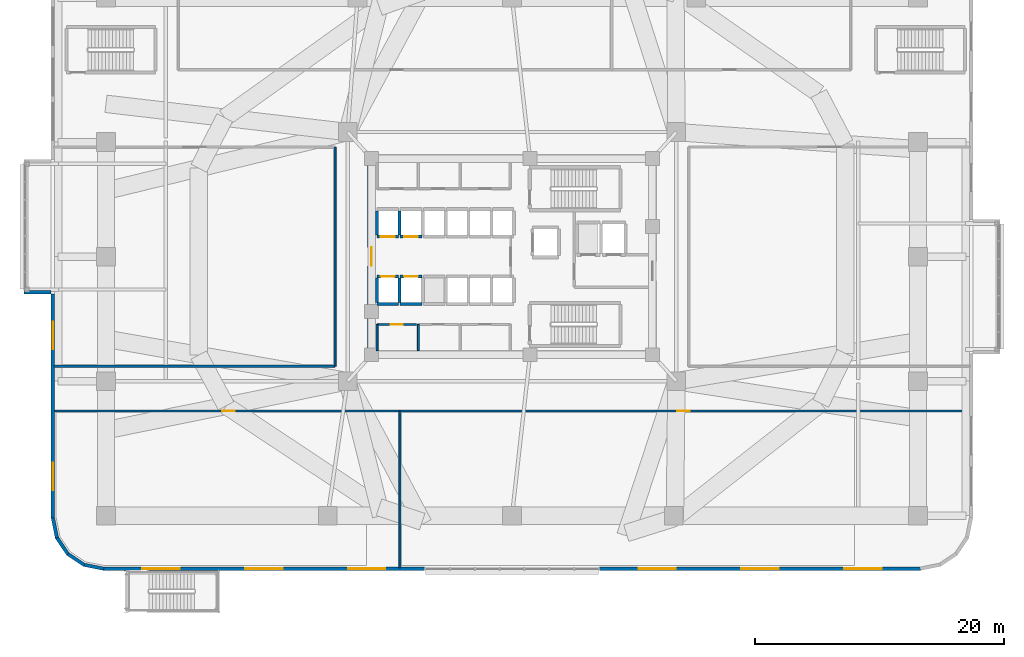
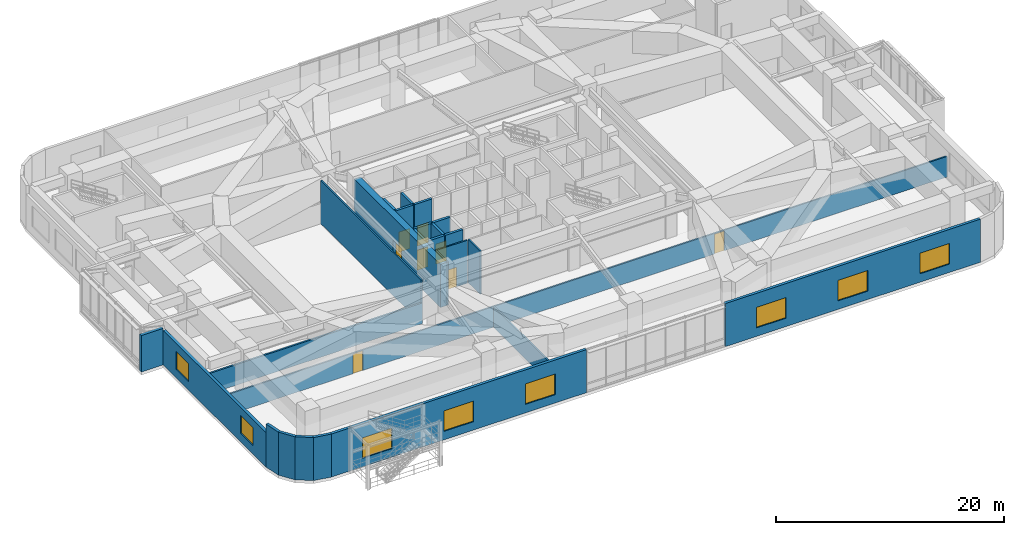
# One storey, part 17 of 26: 26 walls, 8 doors, 8 windows, 16 openings.
"""IFC4 building model written with IfcOpenShell, lengths in metres."""

from ifc_helpers import new_model, si_unit, direction, frame, frame_2d, origin, place, context, subcontext, project, spatial, rectangle, extrude, material, layer, layer_set, type_object, element, fill, save


model = new_model("IFC4")

# Units and contexts
model_context = context("Model", 3, precision=1e-05, world=origin(), true_north=direction((0.0, 1.0)))
body_context = subcontext(model_context, "Body", "Model", "MODEL_VIEW")
ifc_project = project(units=[si_unit("LENGTHUNIT", "METRE"), si_unit("AREAUNIT", "SQUARE_METRE"), si_unit("VOLUMEUNIT", "CUBIC_METRE"), si_unit("PLANEANGLEUNIT", "RADIAN"), si_unit("MASSUNIT", "GRAM", prefix="KILO")], contexts=[model_context])

# Site, building, storey
site_placement = place(None, origin())
site = spatial("IfcSite", under=ifc_project, at=site_placement, CompositionType="ELEMENT")
building_placement = place(site_placement, origin())
building = spatial("IfcBuilding", under=site, at=building_placement, Name="Zulverin Broadcast Headquarters", CompositionType="ELEMENT")
storey_placement = place(building_placement, frame((0.0, 0.0, 20.0)))
storey = spatial("IfcBuildingStorey", under=building, at=storey_placement, Name="L04", CompositionType="ELEMENT", Elevation=20.0)

# Wall, opening, door
ifc_material_1 = material(Name="Concrete C60/75", Category="concrete")
ifc_layer_1 = layer(ifc_material_1, 0.64990234375, Name="Concrete C60/75", Category="concrete")
ifc_layer_set_1 = layer_set([ifc_layer_1], Name="Concrete C60/75")
wall_type_1 = type_object("IfcWallType", Name="WL-CORE-650", PredefinedType="SHEAR", material=ifc_layer_set_1)
wall_1_placement = place(storey_placement, frame((25.72509765625, 17.64990234375, 0.0), z_axis=(0.0, 0.0, 1.0), x_axis=(0.0, 1.0, 0.0)))
wall_1 = element("IfcWall", 1, at=wall_1_placement, inside=storey, type_object=wall_type_1, Name="L04 Core West Shear Wall", PredefinedType="SHEAR", context=body_context, shape_type="SweptSolid", body=[
    extrude(rectangle(XDim=15.10009765625, YDim=0.64990234375, at=frame_2d((7.550048828125, 0.0))), origin(), (0.0, 0.0, 1.0), 4.60009765625),
])
opening_1_placement = place(wall_1_placement, frame((6.800048828125, 0.0, 0.0)))
opening_1 = element("IfcOpeningElement", 2, at=opening_1_placement, cuts=wall_1, Name="Opening D-L04-CW1", PredefinedType="OPENING", context=body_context, shape_type="SweptSolid", body=[
    extrude(rectangle(XDim=1.5, YDim=2.14990234375, at=frame_2d((0.75, 1.074951171875))), frame((0.0, 0.3349609375, 0.0), z_axis=(0.0, -1.0, 0.0), x_axis=(1.0, 0.0, 0.0)), (0.0, 0.0, 1.0), 0.669921875),
])
ifc_material_2 = material(Name="Fire-rated glazed steel frame", Category="steel")
door_type_1 = type_object("IfcDoorType", Name="DR-COR-1500", OperationType="DOUBLE_DOOR_SINGLE_SWING", PredefinedType="DOOR", material=ifc_material_2)
door_1_placement = place(opening_1_placement, origin())
door_1 = element("IfcDoor", 3, at=door_1_placement, inside=storey, type_object=door_type_1, Name="L04 Central Lift Lobby West Portal Door", OperationType="DOUBLE_DOOR_SINGLE_SWING", OverallHeight=2.14990234375, OverallWidth=1.5, PredefinedType="DOOR", context=body_context, shape_type="SweptSolid", body=[
    extrude(rectangle(XDim=1.5, YDim=2.14990234375, at=frame_2d((0.75, 1.074951171875))), frame((0.0, 0.02490234375, 0.0), z_axis=(0.0, -1.0, 0.0), x_axis=(1.0, 0.0, 0.0)), (0.0, 0.0, 1.0), 0.050048828125),
])
fill(opening_1, door_1)

# Wall, openings, windows
ifc_material_3 = material(Name="Insulated pale-metal clad concrete spandrel C40/50", Category="concrete")
ifc_layer_2 = layer(ifc_material_3, 0.280029296875, Name="Insulated pale-metal clad concrete spandrel C40/50", Category="concrete")
ifc_layer_set_2 = layer_set([ifc_layer_2], Name="Insulated pale-metal clad concrete spandrel C40/50")
wall_type_2 = type_object("IfcWallType", Name="WL-EXT-280", PredefinedType="STANDARD", material=ifc_layer_set_2)
wall_2_placement = place(storey_placement, frame((0.139892578125, 22.199951171875, 0.0), z_axis=(0.0, 0.0, 1.0), x_axis=(0.0, -1.0, 0.0)))
wall_2 = element("IfcWall", 4, at=wall_2_placement, inside=storey, type_object=wall_type_2, Name="L04 Podium Spandrel Wall 3-2", PredefinedType="STANDARD", context=body_context, shape_type="SweptSolid", body=[
    extrude(rectangle(XDim=18.0, YDim=0.280029296875, at=frame_2d((9.0, 0.0))), origin(), (0.0, 0.0, 1.0), 3.699951171875),
])
opening_2_placement = place(wall_2_placement, frame((2.2333984375, 0.0, 0.89990234375)))
opening_2 = element("IfcOpeningElement", 5, at=opening_2_placement, cuts=wall_2, Name="Opening W-L04-E3S21", PredefinedType="OPENING", context=body_context, shape_type="SweptSolid", body=[
    extrude(rectangle(XDim=2.199951171875, YDim=1.949951171875, at=frame_2d((1.10009765625, 0.97509765625))), frame((0.0, 0.14990234375, 0.0), z_axis=(0.0, -1.0, 0.0), x_axis=(1.0, 0.0, 0.0)), (0.0, 0.0, 1.0), 0.300048828125),
])
opening_3_placement = place(wall_2_placement, frame((13.566650390625, 0.0, 0.89990234375)))
opening_3 = element("IfcOpeningElement", 6, at=opening_3_placement, cuts=wall_2, Name="Opening W-L04-E3S22", PredefinedType="OPENING", context=body_context, shape_type="SweptSolid", body=[
    extrude(rectangle(XDim=2.199951171875, YDim=1.949951171875, at=frame_2d((1.10009765625, 0.97509765625))), frame((0.0, 0.14990234375, 0.0), z_axis=(0.0, -1.0, 0.0), x_axis=(1.0, 0.0, 0.0)), (0.0, 0.0, 1.0), 0.300048828125),
])
ifc_material_4 = material(Name="Pale anodized aluminium frame with solar-control low-E double glazing", Category="aluminium")
window_type_1 = type_object("IfcWindowType", Name="WIN-POD-2200", PartitioningType="SINGLE_PANEL", PredefinedType="WINDOW", material=ifc_material_4)
window_1_placement = place(opening_2_placement, origin())
window_1 = element("IfcWindow", 7, at=window_1_placement, inside=storey, type_object=window_type_1, Name="L04 Podium Ribbon Window 3-2 1", OverallHeight=1.949951171875, OverallWidth=2.199951171875, PartitioningType="SINGLE_PANEL", PredefinedType="WINDOW", context=body_context, shape_type="SweptSolid", body=[
    extrude(rectangle(XDim=2.199951171875, YDim=1.949951171875, at=frame_2d((1.10009765625, 0.97509765625))), frame((0.0, 0.030029296875, 0.0), z_axis=(0.0, -1.0, 0.0), x_axis=(1.0, 0.0, 0.0)), (0.0, 0.0, 1.0), 0.06005859375),
])
fill(opening_2, window_1)
window_2_placement = place(opening_3_placement, origin())
window_2 = element("IfcWindow", 8, at=window_2_placement, inside=storey, type_object=window_type_1, Name="L04 Podium Ribbon Window 3-2 2", OverallHeight=1.949951171875, OverallWidth=2.199951171875, PartitioningType="SINGLE_PANEL", PredefinedType="WINDOW", context=body_context, shape_type="SweptSolid", body=[
    extrude(rectangle(XDim=2.199951171875, YDim=1.949951171875, at=frame_2d((1.10009765625, 0.97509765625))), frame((0.0, 0.030029296875, 0.0), z_axis=(0.0, -1.0, 0.0), x_axis=(1.0, 0.0, 0.0)), (0.0, 0.0, 1.0), 0.06005859375),
])
fill(opening_3, window_2)

wall_3_placement = place(storey_placement, frame((4.199951171875, 0.139892578125, 0.0), z_axis=(0.0, 0.0, 1.0), x_axis=(1.0, 0.0, 0.0)))
wall_3 = element("IfcWall", 9, at=wall_3_placement, inside=storey, type_object=wall_type_2, Name="L04 Podium Flank Wall 4-1", PredefinedType="STANDARD", context=body_context, shape_type="SweptSolid", body=[
    extrude(rectangle(XDim=25.761962890625, YDim=0.280029296875, at=frame_2d((12.880859375, 0.0))), origin(), (0.0, 0.0, 1.0), 4.60009765625),
])
opening_4_placement = place(wall_3_placement, frame((3.126953125, 0.0, 0.89990234375)))
opening_4 = element("IfcOpeningElement", 10, at=opening_4_placement, cuts=wall_3, Name="Opening W-L04-F411", PredefinedType="OPENING", context=body_context, shape_type="SweptSolid", body=[
    extrude(rectangle(XDim=3.0, YDim=2.199951171875, at=frame_2d((1.5, 1.10009765625))), frame((0.0, 0.14990234375, 0.0), z_axis=(0.0, -1.0, 0.0), x_axis=(1.0, 0.0, 0.0)), (0.0, 0.0, 1.0), 0.300048828125),
])
opening_5_placement = place(wall_3_placement, frame((11.381103515625, 0.0, 0.89990234375)))
opening_5 = element("IfcOpeningElement", 11, at=opening_5_placement, cuts=wall_3, Name="Opening W-L04-F412", PredefinedType="OPENING", context=body_context, shape_type="SweptSolid", body=[
    extrude(rectangle(XDim=3.0, YDim=2.199951171875, at=frame_2d((1.5, 1.10009765625))), frame((0.0, 0.14990234375, 0.0), z_axis=(0.0, -1.0, 0.0), x_axis=(1.0, 0.0, 0.0)), (0.0, 0.0, 1.0), 0.300048828125),
])
opening_6_placement = place(wall_3_placement, frame((19.635009765625, 0.0, 0.89990234375)))
opening_6 = element("IfcOpeningElement", 12, at=opening_6_placement, cuts=wall_3, Name="Opening W-L04-F413", PredefinedType="OPENING", context=body_context, shape_type="SweptSolid", body=[
    extrude(rectangle(XDim=3.0, YDim=2.199951171875, at=frame_2d((1.5, 1.10009765625))), frame((0.0, 0.14990234375, 0.0), z_axis=(0.0, -1.0, 0.0), x_axis=(1.0, 0.0, 0.0)), (0.0, 0.0, 1.0), 0.300048828125),
])
window_type_2 = type_object("IfcWindowType", Name="WIN-POD-3000", PartitioningType="SINGLE_PANEL", PredefinedType="WINDOW", material=ifc_material_4)
window_3_placement = place(opening_4_placement, origin())
window_3 = element("IfcWindow", 13, at=window_3_placement, inside=storey, type_object=window_type_2, Name="L04 Podium Flank Window 4-1 1", OverallHeight=2.199951171875, OverallWidth=3.0, PartitioningType="SINGLE_PANEL", PredefinedType="WINDOW", context=body_context, shape_type="SweptSolid", body=[
    extrude(rectangle(XDim=3.0, YDim=2.199951171875, at=frame_2d((1.5, 1.10009765625))), frame((0.0, 0.030029296875, 0.0), z_axis=(0.0, -1.0, 0.0), x_axis=(1.0, 0.0, 0.0)), (0.0, 0.0, 1.0), 0.06005859375),
])
fill(opening_4, window_3)
window_4_placement = place(opening_5_placement, origin())
window_4 = element("IfcWindow", 14, at=window_4_placement, inside=storey, type_object=window_type_2, Name="L04 Podium Flank Window 4-1 2", OverallHeight=2.199951171875, OverallWidth=3.0, PartitioningType="SINGLE_PANEL", PredefinedType="WINDOW", context=body_context, shape_type="SweptSolid", body=[
    extrude(rectangle(XDim=3.0, YDim=2.199951171875, at=frame_2d((1.5, 1.10009765625))), frame((0.0, 0.030029296875, 0.0), z_axis=(0.0, -1.0, 0.0), x_axis=(1.0, 0.0, 0.0)), (0.0, 0.0, 1.0), 0.06005859375),
])
fill(opening_5, window_4)
window_5_placement = place(opening_6_placement, origin())
window_5 = element("IfcWindow", 15, at=window_5_placement, inside=storey, type_object=window_type_2, Name="L04 Podium Flank Window 4-1 3", OverallHeight=2.199951171875, OverallWidth=3.0, PartitioningType="SINGLE_PANEL", PredefinedType="WINDOW", context=body_context, shape_type="SweptSolid", body=[
    extrude(rectangle(XDim=3.0, YDim=2.199951171875, at=frame_2d((1.5, 1.10009765625))), frame((0.0, 0.030029296875, 0.0), z_axis=(0.0, -1.0, 0.0), x_axis=(1.0, 0.0, 0.0)), (0.0, 0.0, 1.0), 0.06005859375),
])
fill(opening_6, window_5)

wall_4_placement = place(storey_placement, frame((44.0380859375, 0.139892578125, 0.0), z_axis=(0.0, 0.0, 1.0), x_axis=(1.0, 0.0, 0.0)))
wall_4 = element("IfcWall", 16, at=wall_4_placement, inside=storey, type_object=wall_type_2, Name="L04 Podium Flank Wall 4-2", PredefinedType="STANDARD", context=body_context, shape_type="SweptSolid", body=[
    extrude(rectangle(XDim=25.761962890625, YDim=0.280029296875, at=frame_2d((12.880859375, 0.0))), origin(), (0.0, 0.0, 1.0), 4.60009765625),
])
opening_7_placement = place(wall_4_placement, frame((3.126953125, 0.0, 0.89990234375)))
opening_7 = element("IfcOpeningElement", 17, at=opening_7_placement, cuts=wall_4, Name="Opening W-L04-F421", PredefinedType="OPENING", context=body_context, shape_type="SweptSolid", body=[
    extrude(rectangle(XDim=3.0, YDim=2.199951171875, at=frame_2d((1.5, 1.10009765625))), frame((0.0, 0.14990234375, 0.0), z_axis=(0.0, -1.0, 0.0), x_axis=(1.0, 0.0, 0.0)), (0.0, 0.0, 1.0), 0.300048828125),
])
opening_8_placement = place(wall_4_placement, frame((11.381103515625, 0.0, 0.89990234375)))
opening_8 = element("IfcOpeningElement", 18, at=opening_8_placement, cuts=wall_4, Name="Opening W-L04-F422", PredefinedType="OPENING", context=body_context, shape_type="SweptSolid", body=[
    extrude(rectangle(XDim=3.0, YDim=2.199951171875, at=frame_2d((1.5, 1.10009765625))), frame((0.0, 0.14990234375, 0.0), z_axis=(0.0, -1.0, 0.0), x_axis=(1.0, 0.0, 0.0)), (0.0, 0.0, 1.0), 0.300048828125),
])
opening_9_placement = place(wall_4_placement, frame((19.635009765625, 0.0, 0.89990234375)))
opening_9 = element("IfcOpeningElement", 19, at=opening_9_placement, cuts=wall_4, Name="Opening W-L04-F423", PredefinedType="OPENING", context=body_context, shape_type="SweptSolid", body=[
    extrude(rectangle(XDim=3.0, YDim=2.199951171875, at=frame_2d((1.5, 1.10009765625))), frame((0.0, 0.14990234375, 0.0), z_axis=(0.0, -1.0, 0.0), x_axis=(1.0, 0.0, 0.0)), (0.0, 0.0, 1.0), 0.300048828125),
])
window_6_placement = place(opening_7_placement, origin())
window_6 = element("IfcWindow", 20, at=window_6_placement, inside=storey, type_object=window_type_2, Name="L04 Podium Flank Window 4-2 1", OverallHeight=2.199951171875, OverallWidth=3.0, PartitioningType="SINGLE_PANEL", PredefinedType="WINDOW", context=body_context, shape_type="SweptSolid", body=[
    extrude(rectangle(XDim=3.0, YDim=2.199951171875, at=frame_2d((1.5, 1.10009765625))), frame((0.0, 0.030029296875, 0.0), z_axis=(0.0, -1.0, 0.0), x_axis=(1.0, 0.0, 0.0)), (0.0, 0.0, 1.0), 0.06005859375),
])
fill(opening_7, window_6)
window_7_placement = place(opening_8_placement, origin())
window_7 = element("IfcWindow", 21, at=window_7_placement, inside=storey, type_object=window_type_2, Name="L04 Podium Flank Window 4-2 2", OverallHeight=2.199951171875, OverallWidth=3.0, PartitioningType="SINGLE_PANEL", PredefinedType="WINDOW", context=body_context, shape_type="SweptSolid", body=[
    extrude(rectangle(XDim=3.0, YDim=2.199951171875, at=frame_2d((1.5, 1.10009765625))), frame((0.0, 0.030029296875, 0.0), z_axis=(0.0, -1.0, 0.0), x_axis=(1.0, 0.0, 0.0)), (0.0, 0.0, 1.0), 0.06005859375),
])
fill(opening_8, window_7)
window_8_placement = place(opening_9_placement, origin())
window_8 = element("IfcWindow", 22, at=window_8_placement, inside=storey, type_object=window_type_2, Name="L04 Podium Flank Window 4-2 3", OverallHeight=2.199951171875, OverallWidth=3.0, PartitioningType="SINGLE_PANEL", PredefinedType="WINDOW", context=body_context, shape_type="SweptSolid", body=[
    extrude(rectangle(XDim=3.0, YDim=2.199951171875, at=frame_2d((1.5, 1.10009765625))), frame((0.0, 0.030029296875, 0.0), z_axis=(0.0, -1.0, 0.0), x_axis=(1.0, 0.0, 0.0)), (0.0, 0.0, 1.0), 0.06005859375),
])
fill(opening_9, window_8)

# Walls
for number, where, z_axis, x_axis, name in (
    (23, (0.13720703125, 4.227294921875, 0.0), (0.0, 0.0, 1.0), (0.19517056122, -0.980769316421, 0.0), "L04 Wind-Shaped Corner Spandrel Wall 3-1"),
    (24, (0.43603515625, 2.67041015625, 0.0), (0.0, 0.0, 1.0), (0.555731236514, -0.831362010656, 0.0), "L04 Wind-Shaped Corner Spandrel Wall 3-2"),
    (25, (1.30810546875, 1.3466796875, 0.0), (0.0, 0.0, 1.0), (0.831362010656, -0.555731236514, 0.0), "L04 Wind-Shaped Corner Spandrel Wall 3-3"),
    (26, (2.6201171875, 0.45703125, 0.0), (0.0, 0.0, 1.0), (0.980769316421, -0.19517056122, 0.0), "L04 Wind-Shaped Corner Spandrel Wall 3-4"),
):
    element("IfcWall", number, at=place(storey_placement, frame(where, z_axis=z_axis, x_axis=x_axis)), inside=storey, type_object=wall_type_2, Name=name, PredefinedType="STANDARD", context=body_context, shape_type="SweptSolid", body=[
        extrude(rectangle(XDim=1.638671875, YDim=0.280029296875, at=frame_2d((0.8193359375, 0.0))), origin(), (0.0, 0.0, 1.0), 4.60009765625),
    ])
wall_5_placement = place(storey_placement, frame((-2.199951171875, 22.340087890625, 0.0), z_axis=(0.0, 0.0, 1.0), x_axis=(1.0, 0.0, 0.0)))
element("IfcWall", 27, at=wall_5_placement, inside=storey, type_object=wall_type_2, Name="L04 Shifted Studio Box Cheek Wall SBOX_POD_UPPER_W1-S", PredefinedType="STANDARD", context=body_context, shape_type="SweptSolid", body=[
    extrude(rectangle(XDim=2.199951171875, YDim=0.280029296875, at=frame_2d((1.10009765625, 0.0))), origin(), (0.0, 0.0, 1.0), 3.906982421875),
])

# Wall, opening, door
ifc_material_5 = material(Name="Fire-rated gypsum stud partition", Category="gypsum")
ifc_layer_3 = layer(ifc_material_5, 0.14990234375, Name="Fire-rated gypsum stud partition", Category="gypsum")
ifc_layer_set_3 = layer_set([ifc_layer_3], Name="Fire-rated gypsum stud partition")
wall_type_3 = type_object("IfcWallType", Name="WL-PART-150", PredefinedType="PARTITIONING", material=ifc_layer_set_3)
wall_6_placement = place(storey_placement, frame((26.169921875, 19.75, 0.0), z_axis=(0.0, 0.0, 1.0), x_axis=(1.0, 0.0, 0.0)))
wall_6 = element("IfcWall", 28, at=wall_6_placement, inside=storey, type_object=wall_type_3, Name="L04 Core Female WC Front Wall", PredefinedType="PARTITIONING", context=body_context, shape_type="SweptSolid", body=[
    extrude(rectangle(XDim=3.150146484375, YDim=0.14990234375, at=frame_2d((1.5751953125, 0.0))), origin(), (0.0, 0.0, 1.0), 4.60009765625),
])
opening_10_placement = place(wall_6_placement, frame((1.10009765625, 0.0, 0.0)))
opening_10 = element("IfcOpeningElement", 29, at=opening_10_placement, cuts=wall_6, Name="Opening D-L04-SC1", PredefinedType="OPENING", context=body_context, shape_type="SweptSolid", body=[
    extrude(rectangle(XDim=0.949951171875, YDim=2.10009765625, at=frame_2d((0.47509765625, 1.050048828125))), frame((0.0, 0.0849609375, 0.0), z_axis=(0.0, -1.0, 0.0), x_axis=(1.0, 0.0, 0.0)), (0.0, 0.0, 1.0), 0.169921875),
])
ifc_material_6 = material(Name="Fire-rated moisture-resistant laminate leaf", Category="wood")
door_type_2 = type_object("IfcDoorType", Name="DR-WC-950", OperationType="SINGLE_SWING_LEFT", PredefinedType="DOOR", material=ifc_material_6)
door_2_placement = place(opening_10_placement, origin())
door_2 = element("IfcDoor", 30, at=door_2_placement, inside=storey, type_object=door_type_2, Name="L04 Female WC Door", OperationType="SINGLE_SWING_RIGHT", OverallHeight=2.10009765625, OverallWidth=0.949951171875, PredefinedType="DOOR", context=body_context, shape_type="SweptSolid", body=[
    extrude(rectangle(XDim=0.949951171875, YDim=2.10009765625, at=frame_2d((0.47509765625, 1.050048828125))), frame((0.0, 0.02490234375, 0.0), z_axis=(0.0, -1.0, 0.0), x_axis=(1.0, 0.0, 0.0)), (0.0, 0.0, 1.0), 0.050048828125),
])
fill(opening_10, door_2)

# Walls
for number, where, z_axis, x_axis, name in (
    (31, (26.169921875, 17.64990234375, 0.0), (0.0, 0.0, 1.0), (0.0, 1.0, 0.0), "L04 Core Female WC West Wall"),
    (32, (29.47998046875, 17.64990234375, 0.0), (0.0, 0.0, 1.0), (0.0, 1.0, 0.0), "L04 Core Cleaner Store West Wall"),
):
    element("IfcWall", number, at=place(storey_placement, frame(where, z_axis=z_axis, x_axis=x_axis)), inside=storey, type_object=wall_type_3, Name=name, PredefinedType="PARTITIONING", context=body_context, shape_type="SweptSolid", body=[
        extrude(rectangle(XDim=2.10009765625, YDim=0.14990234375, at=frame_2d((1.050048828125, 0.0))), origin(), (0.0, 0.0, 1.0), 4.60009765625),
    ])
wall_7_placement = place(storey_placement, frame((28.0, 0.205078125, 0.0), z_axis=(0.0, 0.0, 1.0), x_axis=(0.0, 1.0, 0.0)))
element("IfcWall", 33, at=wall_7_placement, inside=storey, type_object=wall_type_3, Name="L04 Room Partition Wall RP-04", PredefinedType="PARTITIONING", context=body_context, shape_type="SweptSolid", body=[
    extrude(rectangle(XDim=12.594970703125, YDim=0.14990234375, at=frame_2d((6.29736328125, 0.0))), origin(), (0.0, 0.0, 1.0), 2.199951171875),
])
wall_8_placement = place(storey_placement, frame((22.800048828125, 16.39990234375, 0.0), z_axis=(0.0, 0.0, 1.0), x_axis=(0.0, 1.0, 0.0)))
element("IfcWall", 34, at=wall_8_placement, inside=storey, type_object=wall_type_3, Name="L04 Gallery Partition Wall CG-05", PredefinedType="PARTITIONING", context=body_context, shape_type="SweptSolid", body=[
    extrude(rectangle(XDim=17.60009765625, YDim=0.14990234375, at=frame_2d((8.800048828125, 0.0))), origin(), (0.0, 0.0, 1.0), 4.60009765625),
])

# Wall, openings, doors
wall_9_placement = place(storey_placement, frame((0.205078125, 12.800048828125, 0.0), z_axis=(0.0, 0.0, 1.0), x_axis=(1.0, 0.0, 0.0)))
wall_9 = element("IfcWall", 35, at=wall_9_placement, inside=storey, type_object=wall_type_3, Name="L04 Gallery Partition Wall CG-07", PredefinedType="PARTITIONING", context=body_context, shape_type="SweptSolid", body=[
    extrude(rectangle(XDim=73.58984375, YDim=0.14990234375, at=frame_2d((36.794921875, 0.0))), origin(), (0.0, 0.0, 1.0), 2.199951171875),
])
opening_11_placement = place(wall_9_placement, frame((13.517578125, 0.0, 0.0)))
opening_11 = element("IfcOpeningElement", 36, at=opening_11_placement, cuts=wall_9, Name="Opening D-L04-SOUTH1", PredefinedType="OPENING", context=body_context, shape_type="SweptSolid", body=[
    extrude(rectangle(XDim=1.0, YDim=2.1201171875, at=frame_2d((0.5, 1.06005859375))), frame((0.0, 0.0849609375, 0.0), z_axis=(0.0, -1.0, 0.0), x_axis=(1.0, 0.0, 0.0)), (0.0, 0.0, 1.0), 0.169921875),
])
opening_12_placement = place(wall_9_placement, frame((50.072509765625, 0.0, 0.0)))
opening_12 = element("IfcOpeningElement", 37, at=opening_12_placement, cuts=wall_9, Name="Opening D-L04-SOUTH2", PredefinedType="OPENING", context=body_context, shape_type="SweptSolid", body=[
    extrude(rectangle(XDim=1.0, YDim=2.1201171875, at=frame_2d((0.5, 1.06005859375))), frame((0.0, 0.0849609375, 0.0), z_axis=(0.0, -1.0, 0.0), x_axis=(1.0, 0.0, 0.0)), (0.0, 0.0, 1.0), 0.169921875),
])
ifc_material_7 = material(Name="Hardwood veneer acoustic leaf", Category="wood")
door_type_3 = type_object("IfcDoorType", Name="DR-OFF-1000", OperationType="SINGLE_SWING_LEFT", PredefinedType="DOOR", material=ifc_material_7)
door_3_placement = place(opening_11_placement, origin())
door_3 = element("IfcDoor", 38, at=door_3_placement, inside=storey, type_object=door_type_3, Name="L04 Post-Production Editing Suite Door", OperationType="SINGLE_SWING_RIGHT", OverallHeight=2.1201171875, OverallWidth=1.0, PredefinedType="DOOR", context=body_context, shape_type="SweptSolid", body=[
    extrude(rectangle(XDim=1.0, YDim=2.1201171875, at=frame_2d((0.5, 1.06005859375))), frame((0.0, 0.02490234375, 0.0), z_axis=(0.0, -1.0, 0.0), x_axis=(1.0, 0.0, 0.0)), (0.0, 0.0, 1.0), 0.050048828125),
])
fill(opening_11, door_3)
door_4_placement = place(opening_12_placement, origin())
door_4 = element("IfcDoor", 39, at=door_4_placement, inside=storey, type_object=door_type_3, Name="L04 Master Control & Sound Mixing Room Door", OperationType="SINGLE_SWING_LEFT", OverallHeight=2.1201171875, OverallWidth=1.0, PredefinedType="DOOR", context=body_context, shape_type="SweptSolid", body=[
    extrude(rectangle(XDim=1.0, YDim=2.1201171875, at=frame_2d((0.5, 1.06005859375))), frame((0.0, 0.02490234375, 0.0), z_axis=(0.0, -1.0, 0.0), x_axis=(1.0, 0.0, 0.0)), (0.0, 0.0, 1.0), 0.050048828125),
])
fill(opening_12, door_4)

# Wall
ifc_material_8 = material(Name="Fire-rated acoustic stud wall", Category="gypsum")
ifc_layer_4 = layer(ifc_material_8, 0.175048828125, Name="Fire-rated acoustic stud wall", Category="gypsum")
ifc_layer_set_4 = layer_set([ifc_layer_4], Name="Fire-rated acoustic stud wall")
wall_type_4 = type_object("IfcWallType", Name="WL-PART-175", PredefinedType="PARTITIONING", material=ifc_layer_set_4)
wall_10_placement = place(storey_placement, frame((0.205078125, 16.39990234375, 0.0), z_axis=(0.0, 0.0, 1.0), x_axis=(1.0, 0.0, 0.0)))
element("IfcWall", 40, at=wall_10_placement, inside=storey, type_object=wall_type_4, Name="L04 Gallery Partition Wall CG-08", PredefinedType="PARTITIONING", context=body_context, shape_type="SweptSolid", body=[
    extrude(rectangle(XDim=22.594970703125, YDim=0.175048828125, at=frame_2d((11.29736328125, 0.0))), origin(), (0.0, 0.0, 1.0), 2.199951171875),
])

# Wall, opening, door
ifc_material_9 = material(Name="Concrete C50/60", Category="concrete")
ifc_layer_5 = layer(ifc_material_9, 0.25, Name="Concrete C50/60", Category="concrete")
ifc_layer_set_5 = layer_set([ifc_layer_5], Name="Concrete C50/60")
wall_type_5 = type_object("IfcWallType", Name="WL-SHAFT-250", PredefinedType="SHEAR", material=ifc_layer_set_5)
wall_11_placement = place(storey_placement, frame((26.14990234375, 26.800048828125, 0.0), z_axis=(0.0, 0.0, 1.0), x_axis=(1.0, 0.0, 0.0)))
wall_11 = element("IfcWall", 41, at=wall_11_placement, inside=storey, type_object=wall_type_5, Name="L04 Lift PL-L1 Shaft Wall S", PredefinedType="SHEAR", context=body_context, shape_type="SweptSolid", body=[
    extrude(rectangle(XDim=1.75, YDim=0.25, at=frame_2d((0.875, 0.0))), origin(), (0.0, 0.0, 1.0), 4.60009765625),
])
opening_13_placement = place(wall_11_placement, frame((0.324951171875, 0.0, 0.0)))
opening_13 = element("IfcOpeningElement", 42, at=opening_13_placement, cuts=wall_11, Name="Opening LD-PL-L1-L04", PredefinedType="OPENING", context=body_context, shape_type="SweptSolid", body=[
    extrude(rectangle(XDim=1.10009765625, YDim=2.14990234375, at=frame_2d((0.550048828125, 1.074951171875))), frame((0.0, 0.135009765625, 0.0), z_axis=(0.0, -1.0, 0.0), x_axis=(1.0, 0.0, 0.0)), (0.0, 0.0, 1.0), 0.27001953125),
])
ifc_material_10 = material(Name="Brushed stainless steel landing", Category="steel")
door_type_4 = type_object("IfcDoorType", Name="LD-PASS-1100", OperationType="DOUBLE_DOOR_SLIDING", PredefinedType="DOOR", material=ifc_material_10)
door_5_placement = place(opening_13_placement, origin())
door_5 = element("IfcDoor", 43, at=door_5_placement, inside=storey, type_object=door_type_4, Name="L04 Lift PL-L1 Sliding Landing Door", OperationType="DOUBLE_DOOR_SLIDING", OverallHeight=2.14990234375, OverallWidth=1.10009765625, PredefinedType="DOOR", context=body_context, shape_type="SweptSolid", body=[
    extrude(rectangle(XDim=1.10009765625, YDim=2.14990234375, at=frame_2d((0.550048828125, 1.074951171875))), frame((0.0, 0.02490234375, 0.0), z_axis=(0.0, -1.0, 0.0), x_axis=(1.0, 0.0, 0.0)), (0.0, 0.0, 1.0), 0.050048828125),
])
fill(opening_13, door_5)

# Walls
for number, where, z_axis, x_axis, name in (
    (44, (26.14990234375, 26.919921875, 0.0), (0.0, 0.0, 1.0), (0.0, 1.0, 0.0), "L04 Lift PL-L1 Shaft Wall W"),
    (45, (27.9599609375, 26.919921875, 0.0), (0.0, 0.0, 1.0), (0.0, 1.0, 0.0), "L04 Lift PL-L1 Shaft Wall E"),
):
    element("IfcWall", number, at=place(storey_placement, frame(where, z_axis=z_axis, x_axis=x_axis)), inside=storey, type_object=wall_type_5, Name=name, PredefinedType="SHEAR", context=body_context, shape_type="SweptSolid", body=[
        extrude(rectangle(XDim=1.9599609375, YDim=0.25, at=frame_2d((0.97998046875, 0.0))), origin(), (0.0, 0.0, 1.0), 4.60009765625),
    ])

# Wall, opening, door
wall_12_placement = place(storey_placement, frame((28.02001953125, 26.800048828125, 0.0), z_axis=(0.0, 0.0, 1.0), x_axis=(1.0, 0.0, 0.0)))
wall_12 = element("IfcWall", 46, at=wall_12_placement, inside=storey, type_object=wall_type_5, Name="L04 Lift PL-L2 Shaft Wall S", PredefinedType="SHEAR", context=body_context, shape_type="SweptSolid", body=[
    extrude(rectangle(XDim=1.75, YDim=0.25, at=frame_2d((0.875, 0.0))), origin(), (0.0, 0.0, 1.0), 4.60009765625),
])
opening_14_placement = place(wall_12_placement, frame((0.324951171875, 0.0, 0.0)))
opening_14 = element("IfcOpeningElement", 47, at=opening_14_placement, cuts=wall_12, Name="Opening LD-PL-L2-L04", PredefinedType="OPENING", context=body_context, shape_type="SweptSolid", body=[
    extrude(rectangle(XDim=1.10009765625, YDim=2.14990234375, at=frame_2d((0.550048828125, 1.074951171875))), frame((0.0, 0.135009765625, 0.0), z_axis=(0.0, -1.0, 0.0), x_axis=(1.0, 0.0, 0.0)), (0.0, 0.0, 1.0), 0.27001953125),
])
door_6_placement = place(opening_14_placement, origin())
door_6 = element("IfcDoor", 48, at=door_6_placement, inside=storey, type_object=door_type_4, Name="L04 Lift PL-L2 Sliding Landing Door", OperationType="DOUBLE_DOOR_SLIDING", OverallHeight=2.14990234375, OverallWidth=1.10009765625, PredefinedType="DOOR", context=body_context, shape_type="SweptSolid", body=[
    extrude(rectangle(XDim=1.10009765625, YDim=2.14990234375, at=frame_2d((0.550048828125, 1.074951171875))), frame((0.0, 0.02490234375, 0.0), z_axis=(0.0, -1.0, 0.0), x_axis=(1.0, 0.0, 0.0)), (0.0, 0.0, 1.0), 0.050048828125),
])
fill(opening_14, door_6)

# Wall
wall_13_placement = place(storey_placement, frame((26.14990234375, 21.39990234375, 0.0), z_axis=(0.0, 0.0, 1.0), x_axis=(1.0, 0.0, 0.0)))
element("IfcWall", 49, at=wall_13_placement, inside=storey, type_object=wall_type_5, Name="L04 Lift PL-L3 Shaft Wall S", PredefinedType="SHEAR", context=body_context, shape_type="SweptSolid", body=[
    extrude(rectangle(XDim=1.75, YDim=0.25, at=frame_2d((0.875, 0.0))), origin(), (0.0, 0.0, 1.0), 4.60009765625),
])

# Wall, opening, door
wall_14_placement = place(storey_placement, frame((26.14990234375, 23.60009765625, 0.0), z_axis=(0.0, 0.0, 1.0), x_axis=(1.0, 0.0, 0.0)))
wall_14 = element("IfcWall", 50, at=wall_14_placement, inside=storey, type_object=wall_type_5, Name="L04 Lift PL-L3 Shaft Wall N", PredefinedType="SHEAR", context=body_context, shape_type="SweptSolid", body=[
    extrude(rectangle(XDim=1.75, YDim=0.25, at=frame_2d((0.875, 0.0))), origin(), (0.0, 0.0, 1.0), 4.60009765625),
])
opening_15_placement = place(wall_14_placement, frame((0.324951171875, 0.0, 0.0)))
opening_15 = element("IfcOpeningElement", 51, at=opening_15_placement, cuts=wall_14, Name="Opening LD-PL-L3-L04", PredefinedType="OPENING", context=body_context, shape_type="SweptSolid", body=[
    extrude(rectangle(XDim=1.10009765625, YDim=2.14990234375, at=frame_2d((0.550048828125, 1.074951171875))), frame((0.0, 0.135009765625, 0.0), z_axis=(0.0, -1.0, 0.0), x_axis=(1.0, 0.0, 0.0)), (0.0, 0.0, 1.0), 0.27001953125),
])
door_7_placement = place(opening_15_placement, origin())
door_7 = element("IfcDoor", 52, at=door_7_placement, inside=storey, type_object=door_type_4, Name="L04 Lift PL-L3 Sliding Landing Door", OperationType="DOUBLE_DOOR_SLIDING", OverallHeight=2.14990234375, OverallWidth=1.10009765625, PredefinedType="DOOR", context=body_context, shape_type="SweptSolid", body=[
    extrude(rectangle(XDim=1.10009765625, YDim=2.14990234375, at=frame_2d((0.550048828125, 1.074951171875))), frame((0.0, 0.02490234375, 0.0), z_axis=(0.0, -1.0, 0.0), x_axis=(1.0, 0.0, 0.0)), (0.0, 0.0, 1.0), 0.050048828125),
])
fill(opening_15, door_7)

# Walls
for number, where, z_axis, x_axis, name in (
    (53, (26.14990234375, 21.52001953125, 0.0), (0.0, 0.0, 1.0), (0.0, 1.0, 0.0), "L04 Lift PL-L3 Shaft Wall W"),
    (54, (27.9599609375, 21.52001953125, 0.0), (0.0, 0.0, 1.0), (0.0, 1.0, 0.0), "L04 Lift PL-L3 Shaft Wall E"),
):
    element("IfcWall", number, at=place(storey_placement, frame(where, z_axis=z_axis, x_axis=x_axis)), inside=storey, type_object=wall_type_5, Name=name, PredefinedType="SHEAR", context=body_context, shape_type="SweptSolid", body=[
        extrude(rectangle(XDim=1.9599609375, YDim=0.25, at=frame_2d((0.97998046875, 0.0))), origin(), (0.0, 0.0, 1.0), 4.60009765625),
    ])
wall_15_placement = place(storey_placement, frame((28.02001953125, 21.39990234375, 0.0), z_axis=(0.0, 0.0, 1.0), x_axis=(1.0, 0.0, 0.0)))
element("IfcWall", 55, at=wall_15_placement, inside=storey, type_object=wall_type_5, Name="L04 Lift PL-L4 Shaft Wall S", PredefinedType="SHEAR", context=body_context, shape_type="SweptSolid", body=[
    extrude(rectangle(XDim=1.75, YDim=0.25, at=frame_2d((0.875, 0.0))), origin(), (0.0, 0.0, 1.0), 4.60009765625),
])

# Wall, opening, door
wall_16_placement = place(storey_placement, frame((28.02001953125, 23.60009765625, 0.0), z_axis=(0.0, 0.0, 1.0), x_axis=(1.0, 0.0, 0.0)))
wall_16 = element("IfcWall", 56, at=wall_16_placement, inside=storey, type_object=wall_type_5, Name="L04 Lift PL-L4 Shaft Wall N", PredefinedType="SHEAR", context=body_context, shape_type="SweptSolid", body=[
    extrude(rectangle(XDim=1.75, YDim=0.25, at=frame_2d((0.875, 0.0))), origin(), (0.0, 0.0, 1.0), 4.60009765625),
])
opening_16_placement = place(wall_16_placement, frame((0.324951171875, 0.0, 0.0)))
opening_16 = element("IfcOpeningElement", 57, at=opening_16_placement, cuts=wall_16, Name="Opening LD-PL-L4-L04", PredefinedType="OPENING", context=body_context, shape_type="SweptSolid", body=[
    extrude(rectangle(XDim=1.10009765625, YDim=2.14990234375, at=frame_2d((0.550048828125, 1.074951171875))), frame((0.0, 0.135009765625, 0.0), z_axis=(0.0, -1.0, 0.0), x_axis=(1.0, 0.0, 0.0)), (0.0, 0.0, 1.0), 0.27001953125),
])
door_8_placement = place(opening_16_placement, origin())
door_8 = element("IfcDoor", 58, at=door_8_placement, inside=storey, type_object=door_type_4, Name="L04 Lift PL-L4 Sliding Landing Door", OperationType="DOUBLE_DOOR_SLIDING", OverallHeight=2.14990234375, OverallWidth=1.10009765625, PredefinedType="DOOR", context=body_context, shape_type="SweptSolid", body=[
    extrude(rectangle(XDim=1.10009765625, YDim=2.14990234375, at=frame_2d((0.550048828125, 1.074951171875))), frame((0.0, 0.02490234375, 0.0), z_axis=(0.0, -1.0, 0.0), x_axis=(1.0, 0.0, 0.0)), (0.0, 0.0, 1.0), 0.050048828125),
])
fill(opening_16, door_8)

save(model, "model.ifc")
